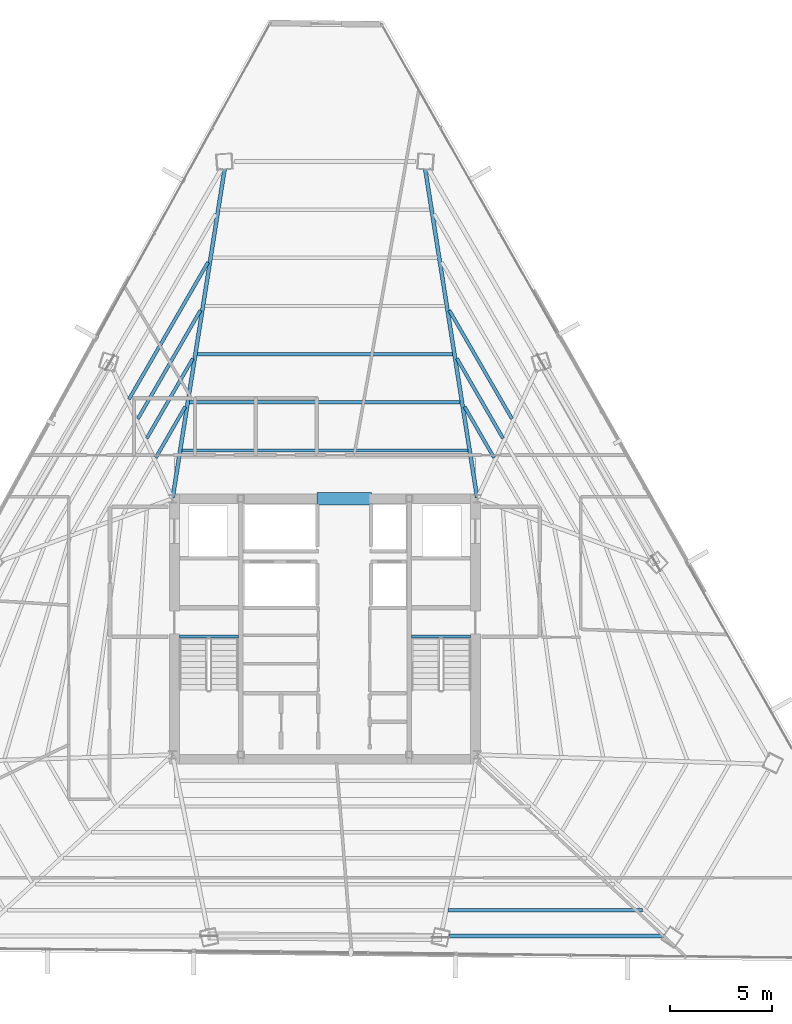
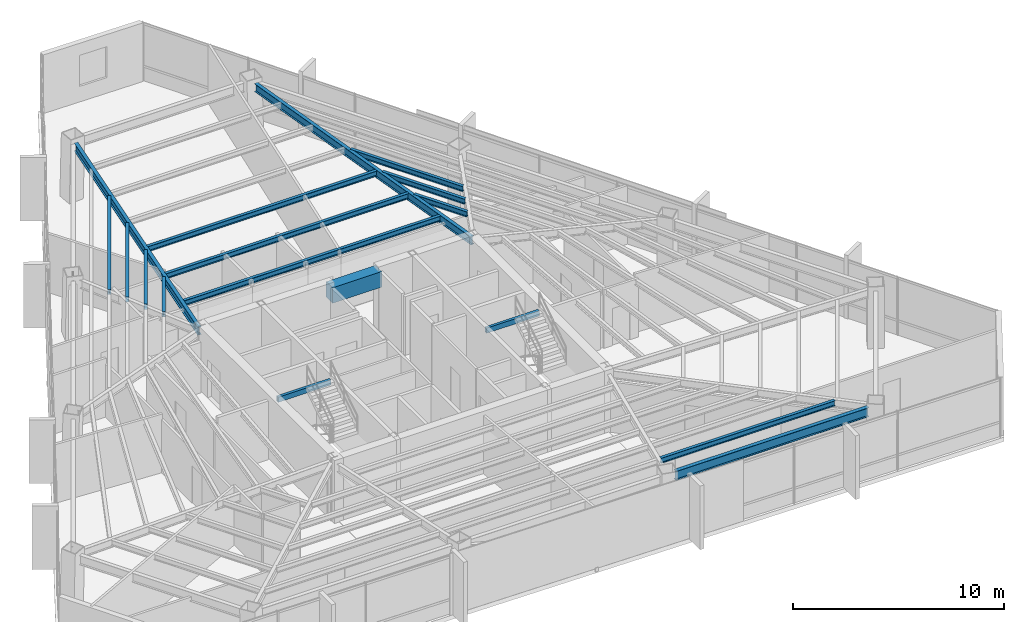
# One storey, part 17 of 41: 17 beams.
"""IFC4 building model written with IfcOpenShell, lengths in metres."""

from ifc_helpers import new_model, si_unit, direction, frame, origin, origin_2d, place, context, subcontext, project, spatial, rectangle, hollow_rectangle, i_section, extrude, source, transform, mapped, material, material_profile, profile_set, type_object, type_shapes, element, save


model = new_model("IFC4")

# Units and contexts
model_context = context("Model", 3, precision=1e-05, world=origin(), true_north=direction((0.0, 1.0)))
body_context = subcontext(model_context, "Body", "Model", "MODEL_VIEW")
ifc_project = project(units=[si_unit("LENGTHUNIT", "METRE"), si_unit("AREAUNIT", "SQUARE_METRE"), si_unit("VOLUMEUNIT", "CUBIC_METRE"), si_unit("PLANEANGLEUNIT", "RADIAN"), si_unit("MASSUNIT", "GRAM", prefix="KILO")], contexts=[model_context])

# Site, building, storey
site_placement = place(None, origin())
site = spatial("IfcSite", under=ifc_project, at=site_placement, CompositionType="ELEMENT")
building_placement = place(site_placement, origin())
building = spatial("IfcBuilding", under=site, at=building_placement, Name="Caelisora Broadcast Tower", CompositionType="ELEMENT")
storey_placement = place(building_placement, frame((0.0, 0.0, 209.60009765625)))
storey = spatial("IfcBuildingStorey", under=building, at=storey_placement, Name="L55", CompositionType="ELEMENT", Elevation=209.60009765625)

# Beams
ifc_material_1 = material(Name="Steel Grade 350 (AS/NZS 1163 C350L0)", Category="steel")
ifc_material_profile_1 = material_profile(ifc_material_1, hollow_rectangle(XDim=0.14990234375, YDim=0.300048828125, WallThickness=0.010009765625, at=origin_2d()), Name="Steel Grade 350 (AS/NZS 1163 C350L0)")
ifc_profile_set_1 = profile_set([ifc_material_profile_1], Name="Steel Grade 350 (AS/NZS 1163 C350L0)")
beam_type_1 = type_object("IfcBeamType", Name="SB05", PredefinedType="JOIST", material=ifc_profile_set_1)
shared_shape_1 = source(origin(), body_context, "Body", "SweptSolid", [
    extrude(hollow_rectangle(XDim=0.14990234375, YDim=0.300048828125, WallThickness=0.010009765625, at=origin_2d()), origin(), (0.0, 0.0, 1.0), 2.89990234375),
])
type_shapes(beam_type_1, [shared_shape_1])
for number, where, z_axis, x_axis, name in (
    (1, (30.840087890625, 23.219970703125, 3.25), (1.0, 0.0, 0.0), (0.0, 1.0, 0.0), "L55 beam SB05"),
    (2, (42.260009765625, 23.219970703125, 3.25), (1.0, 0.0, 0.0), (0.0, 1.0, 0.0), "L55 beam SB05"),
):
    element("IfcBeam", number, at=place(storey_placement, frame(where, z_axis=z_axis, x_axis=x_axis)), inside=storey, type_object=beam_type_1, Name=name, PredefinedType="JOIST", context=body_context, shape_type="MappedRepresentation", body=[
        mapped(shared_shape_1, transform((0.0, 0.0, 0.0), scale=1.0)),
    ])
ifc_material_2 = material(Name="Concrete 50 MPa (AS 3600 S50)", Category="concrete")
ifc_material_profile_2 = material_profile(ifc_material_2, rectangle(XDim=0.60009765625, YDim=0.89990234375, at=origin_2d()), Name="Concrete 50 MPa (AS 3600 S50)")
ifc_profile_set_2 = profile_set([ifc_material_profile_2], Name="Concrete 50 MPa (AS 3600 S50)")
beam_type_2 = type_object("IfcBeamType", Name="CB02", PredefinedType="LINTEL", material=ifc_profile_set_2)
shared_shape_2 = source(origin(), body_context, "Body", "SweptSolid", [
    extrude(rectangle(XDim=0.60009765625, YDim=0.89990234375, at=origin_2d()), origin(), (0.0, 0.0, 1.0), 2.699951171875),
])
type_shapes(beam_type_2, [shared_shape_2])
beam_1_placement = place(storey_placement, frame((37.60009765625, 30.0, 2.949951171875), z_axis=(1.0, 0.0, 0.0), x_axis=(0.0, 1.0, 0.0)))
element("IfcBeam", 3, at=beam_1_placement, inside=storey, type_object=beam_type_2, Name="L55 beam CB02", PredefinedType="LINTEL", context=body_context, shape_type="MappedRepresentation", body=[
    mapped(shared_shape_2, transform((0.0, 0.0, 0.0), scale=1.0)),
])
ifc_material_3 = material(Name="Steel Grade 350 (AS/NZS 3679.1)", Category="steel")
ifc_material_profile_3 = material_profile(ifc_material_3, i_section(OverallWidth=0.208984375, OverallDepth=0.532958984375, WebThickness=0.01025390625, FlangeThickness=0.015625, at=origin_2d()), Name="Steel Grade 350 (AS/NZS 3679.1)")
ifc_profile_set_3 = profile_set([ifc_material_profile_3], Name="Steel Grade 350 (AS/NZS 3679.1)")
beam_type_3 = type_object("IfcBeamType", Name="PG05", PredefinedType="BEAM", material=ifc_profile_set_3)
shared_shape_3 = source(origin(), body_context, "Body", "SweptSolid", [
    extrude(i_section(OverallWidth=0.208984375, OverallDepth=0.532958984375, WebThickness=0.01025390625, FlangeThickness=0.015625, at=origin_2d()), origin(), (0.0, 0.0, 1.0), 10.58984375),
])
type_shapes(beam_type_3, [shared_shape_3])
beam_2_placement = place(storey_placement, frame((44.126953125, 8.477294921875, 3.13330078125), z_axis=(1.0, 0.0, 0.0), x_axis=(0.0, 1.0, 0.0)))
element("IfcBeam", 4, at=beam_2_placement, inside=storey, type_object=beam_type_3, Name="L55 beam PG05", PredefinedType="BEAM", context=body_context, shape_type="MappedRepresentation", body=[
    mapped(shared_shape_3, transform((0.0, 0.0, 0.0), scale=1.0)),
])
ifc_material_profile_4 = material_profile(ifc_material_3, i_section(OverallWidth=0.19091796875, OverallDepth=0.46044921875, WebThickness=0.010009765625, FlangeThickness=0.01611328125, at=origin_2d()), Name="Steel Grade 350 (AS/NZS 3679.1)")
ifc_profile_set_4 = profile_set([ifc_material_profile_4], Name="Steel Grade 350 (AS/NZS 3679.1)")
beam_type_4 = type_object("IfcBeamType", Name="PG06", PredefinedType="BEAM", material=ifc_profile_set_4)
shared_shape_4 = source(origin(), body_context, "Body", "SweptSolid", [
    extrude(i_section(OverallWidth=0.19091796875, OverallDepth=0.46044921875, WebThickness=0.010009765625, FlangeThickness=0.01611328125, at=origin_2d()), origin(), (0.0, 0.0, 1.0), 16.36865234375),
])
type_shapes(beam_type_4, [shared_shape_4])
for number, where, z_axis, x_axis, name in (
    (5, (45.490478515625, 30.059326171875, 3.169677734375), (-0.156087416361, 0.987743245208, 0.0), (-0.987743245208, -0.156087416361, 0.0), "L55 beam PG06"),
    (6, (30.509521484375, 30.059326171875, 3.169677734375), (0.156087416361, 0.987743245208, 0.0), (-0.987743245208, 0.156087416361, 0.0), "L55 beam PG06"),
):
    element("IfcBeam", number, at=place(storey_placement, frame(where, z_axis=z_axis, x_axis=x_axis)), inside=storey, type_object=beam_type_4, Name=name, PredefinedType="BEAM", context=body_context, shape_type="MappedRepresentation", body=[
        mapped(shared_shape_4, transform((0.0, 0.0, 0.0), scale=1.0)),
    ])
ifc_material_profile_5 = material_profile(ifc_material_3, i_section(OverallWidth=0.166015625, OverallDepth=0.30712890625, WebThickness=0.006591796875, FlangeThickness=0.01171875, at=origin_2d()), Name="Steel Grade 350 (AS/NZS 3679.1)")
ifc_profile_set_5 = profile_set([ifc_material_profile_5], Name="Steel Grade 350 (AS/NZS 3679.1)")
beam_type_5 = type_object("IfcBeamType", Name="SB03", PredefinedType="JOIST", material=ifc_profile_set_5)
shared_shape_5 = source(origin(), body_context, "Body", "SweptSolid", [
    extrude(i_section(OverallWidth=0.166015625, OverallDepth=0.30712890625, WebThickness=0.006591796875, FlangeThickness=0.01171875, at=origin_2d()), origin(), (0.0, 0.0, 1.0), 14.06298828125),
])
beam_3_placement = place(storey_placement, frame((45.031494140625, 32.37109375, 3.246337890625), z_axis=(-1.0, 0.0, 0.0), x_axis=(0.0, -1.0, 0.0)))
element("IfcBeam", 7, at=beam_3_placement, inside=storey, type_object=beam_type_5, Name="L55 beam SB03", PredefinedType="JOIST", context=body_context, shape_type="MappedRepresentation", body=[
    mapped(shared_shape_5, transform((0.0, 0.0, 0.0), scale=1.0)),
])
shared_shape_6 = source(origin(), body_context, "Body", "SweptSolid", [
    extrude(i_section(OverallWidth=0.166015625, OverallDepth=0.30712890625, WebThickness=0.006591796875, FlangeThickness=0.01171875, at=origin_2d()), origin(), (0.0, 0.0, 1.0), 13.3134765625),
])
beam_4_placement = place(storey_placement, frame((44.65673828125, 34.742431640625, 3.246337890625), z_axis=(-1.0, 0.0, 0.0), x_axis=(0.0, -1.0, 0.0)))
element("IfcBeam", 8, at=beam_4_placement, inside=storey, type_object=beam_type_5, Name="L55 beam SB03", PredefinedType="JOIST", context=body_context, shape_type="MappedRepresentation", body=[
    mapped(shared_shape_6, transform((0.0, 0.0, 0.0), scale=1.0)),
])
shared_shape_7 = source(origin(), body_context, "Body", "SweptSolid", [
    extrude(i_section(OverallWidth=0.166015625, OverallDepth=0.30712890625, WebThickness=0.006591796875, FlangeThickness=0.01171875, at=origin_2d()), origin(), (0.0, 0.0, 1.0), 12.56396484375),
])
beam_5_placement = place(storey_placement, frame((44.281982421875, 37.11376953125, 3.246337890625), z_axis=(-1.0, 0.0, 0.0), x_axis=(0.0, -1.0, 0.0)))
element("IfcBeam", 9, at=beam_5_placement, inside=storey, type_object=beam_type_5, Name="L55 beam SB03", PredefinedType="JOIST", context=body_context, shape_type="MappedRepresentation", body=[
    mapped(shared_shape_7, transform((0.0, 0.0, 0.0), scale=1.0)),
])
shared_shape_8 = source(origin(), body_context, "Body", "SweptSolid", [
    extrude(i_section(OverallWidth=0.166015625, OverallDepth=0.30712890625, WebThickness=0.006591796875, FlangeThickness=0.01171875, at=origin_2d()), origin(), (0.0, 0.0, 1.0), 2.901123046875),
])
for number, where, z_axis, x_axis, name in (
    (10, (31.125244140625, 34.527587890625, 3.246337890625), (-0.499967707918, -0.866044046824, 0.0), (0.866044046824, -0.499967707918, 0.0), "L55 beam SB03"),
    (11, (46.3251953125, 32.01513671875, 3.246337890625), (-0.499967707918, 0.866044046824, 0.0), (-0.866044046824, -0.499967707918, 0.0), "L55 beam SB03"),
):
    element("IfcBeam", number, at=place(storey_placement, frame(where, z_axis=z_axis, x_axis=x_axis)), inside=storey, type_object=beam_type_5, Name=name, PredefinedType="JOIST", context=body_context, shape_type="MappedRepresentation", body=[
        mapped(shared_shape_8, transform((0.0, 0.0, 0.0), scale=1.0)),
    ])
shared_shape_9 = source(origin(), body_context, "Body", "SweptSolid", [
    extrude(i_section(OverallWidth=0.166015625, OverallDepth=0.30712890625, WebThickness=0.006591796875, FlangeThickness=0.01171875, at=origin_2d()), origin(), (0.0, 0.0, 1.0), 4.53271484375),
])
for number, where, z_axis, x_axis, name in (
    (12, (31.5, 36.898681640625, 3.246337890625), (-0.499991315771, -0.866030417568, 0.0), (0.866030417568, -0.499991315771, 0.0), "L55 beam SB03"),
    (13, (46.766357421875, 32.97314453125, 3.246337890625), (-0.499991315771, 0.866030417568, 0.0), (-0.866030417568, -0.499991315771, 0.0), "L55 beam SB03"),
):
    element("IfcBeam", number, at=place(storey_placement, frame(where, z_axis=z_axis, x_axis=x_axis)), inside=storey, type_object=beam_type_5, Name=name, PredefinedType="JOIST", context=body_context, shape_type="MappedRepresentation", body=[
        mapped(shared_shape_9, transform((0.0, 0.0, 0.0), scale=1.0)),
    ])
shared_shape_10 = source(origin(), body_context, "Body", "SweptSolid", [
    extrude(i_section(OverallWidth=0.166015625, OverallDepth=0.30712890625, WebThickness=0.006591796875, FlangeThickness=0.01171875, at=origin_2d()), origin(), (0.0, 0.0, 1.0), 6.16455078125),
])
for number, where, z_axis, x_axis, name in (
    (14, (31.874755859375, 39.27001953125, 3.246337890625), (-0.500002425662, -0.866024003323, 0.0), (0.866024003323, -0.500002425662, 0.0), "L55 beam SB03"),
    (15, (47.20751953125, 33.931396484375, 3.246337890625), (-0.500002425662, 0.866024003323, 0.0), (-0.866024003323, -0.500002425662, 0.0), "L55 beam SB03"),
):
    element("IfcBeam", number, at=place(storey_placement, frame(where, z_axis=z_axis, x_axis=x_axis)), inside=storey, type_object=beam_type_5, Name=name, PredefinedType="JOIST", context=body_context, shape_type="MappedRepresentation", body=[
        mapped(shared_shape_10, transform((0.0, 0.0, 0.0), scale=1.0)),
    ])
shared_shape_11 = source(origin(), body_context, "Body", "SweptSolid", [
    extrude(i_section(OverallWidth=0.166015625, OverallDepth=0.30712890625, WebThickness=0.006591796875, FlangeThickness=0.01171875, at=origin_2d()), origin(), (0.0, 0.0, 1.0), 7.7958984375),
])
beam_6_placement = place(storey_placement, frame((32.24951171875, 41.64111328125, 3.246337890625), z_axis=(-0.499998958472, -0.86602600511, 0.0), x_axis=(0.86602600511, -0.499998958472, 0.0)))
element("IfcBeam", 16, at=beam_6_placement, inside=storey, type_object=beam_type_5, Name="L55 beam SB03", PredefinedType="JOIST", context=body_context, shape_type="MappedRepresentation", body=[
    mapped(shared_shape_11, transform((0.0, 0.0, 0.0), scale=1.0)),
])
shared_shape_12 = source(origin(), body_context, "Body", "SweptSolid", [
    extrude(i_section(OverallWidth=0.166015625, OverallDepth=0.30712890625, WebThickness=0.006591796875, FlangeThickness=0.01171875, at=origin_2d()), origin(), (0.0, 0.0, 1.0), 9.558349609375),
])
type_shapes(beam_type_5, [shared_shape_5, shared_shape_6, shared_shape_7, shared_shape_8, shared_shape_9, shared_shape_10, shared_shape_11, shared_shape_12])
beam_7_placement = place(storey_placement, frame((44.060791015625, 9.751953125, 3.246337890625), z_axis=(1.0, 0.0, 0.0), x_axis=(0.0, 1.0, 0.0)))
element("IfcBeam", 17, at=beam_7_placement, inside=storey, type_object=beam_type_5, Name="L55 beam SB03", PredefinedType="JOIST", context=body_context, shape_type="MappedRepresentation", body=[
    mapped(shared_shape_12, transform((0.0, 0.0, 0.0), scale=1.0)),
])

save(model, "model.ifc")
